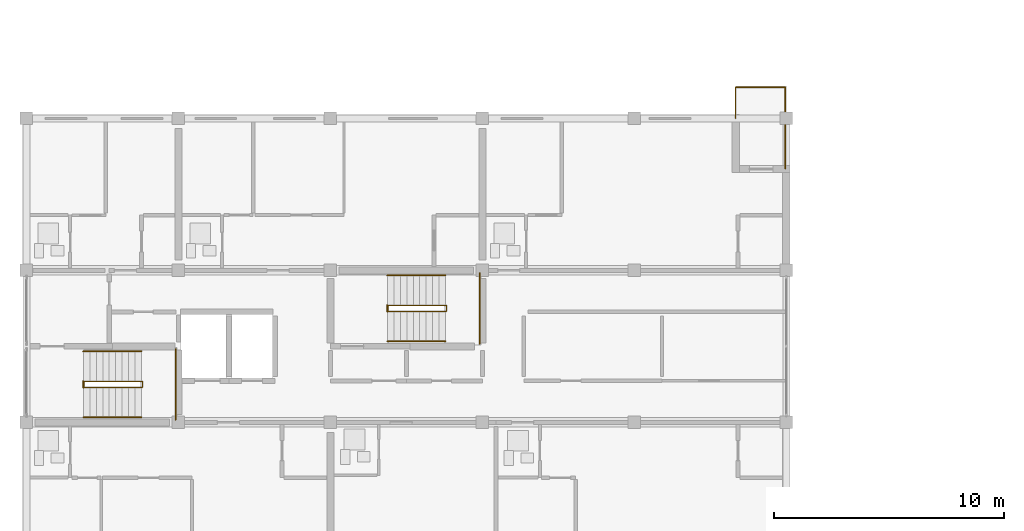
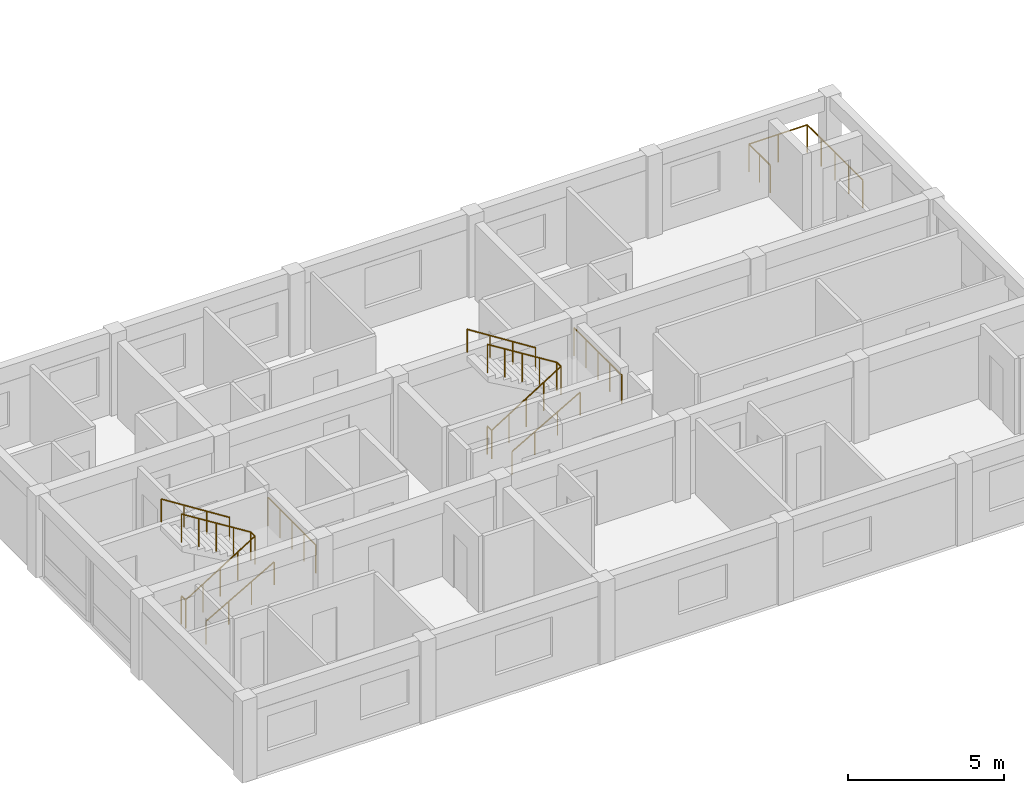
# One storey, part 42 of 45: 11 railings.
"""IFC4 building model written with IfcOpenShell, lengths in metres."""

from ifc_helpers import new_model, si_unit, direction, frame, origin, origin_2d, place, context, subcontext, project, spatial, circle, extrude, material, type_object, element, save


model = new_model("IFC4")

# Units and contexts
model_context = context("Model", 3, precision=1e-05, world=origin(), true_north=direction((0.0, 1.0)))
body_context = subcontext(model_context, "Body", "Model", "MODEL_VIEW")
ifc_project = project(units=[si_unit("LENGTHUNIT", "METRE"), si_unit("AREAUNIT", "SQUARE_METRE"), si_unit("VOLUMEUNIT", "CUBIC_METRE"), si_unit("PLANEANGLEUNIT", "RADIAN"), si_unit("MASSUNIT", "GRAM", prefix="KILO")], contexts=[model_context])

# Site, building, storey
site_placement = place(None, origin())
site = spatial("IfcSite", under=ifc_project, at=site_placement, CompositionType="ELEMENT")
building_placement = place(site_placement, origin())
building = spatial("IfcBuilding", under=site, at=building_placement, Name="Kernevlak Ridge Housing Community", CompositionType="ELEMENT")
storey_placement = place(building_placement, frame((0.0, 0.0, 21.199951171875)))
storey = spatial("IfcBuildingStorey", under=building, at=storey_placement, Name="L06", CompositionType="ELEMENT", Elevation=21.199951171875)

# Railings
ifc_material_1 = material(Name="Steel S355", Category="steel")
railing_type_1 = type_object("IfcRailingType", Name="BL-01", PredefinedType="BALUSTRADE", material=ifc_material_1)
railing_1_placement = place(storey_placement, frame((46.39990234375, 95.800048828125, 0.0)))
element("IfcRailing", 1, at=railing_1_placement, inside=storey, type_object=railing_type_1, Name="Block A L06 balcony balustrade BL-01 6", PredefinedType="BALUSTRADE", context=body_context, shape_type="SweptSolid", body=[
    extrude(circle(Radius=0.02392578125, at=origin_2d()), frame((0.0, 0.0, 1.076171875), z_axis=(0.0, 1.0, 0.0), x_axis=(-1.0, 0.0, 0.0)), (0.0, 0.0, 1.0), 1.349853515625),
    extrude(circle(Radius=0.02392578125, at=origin_2d()), frame((0.0, 1.349853515625, 1.076171875), z_axis=(1.0, 0.0, 0.0), x_axis=(0.0, 1.0, 0.0)), (0.0, 0.0, 1.0), 2.150146484375),
    extrude(circle(Radius=0.02392578125, at=origin_2d()), frame((2.150146484375, 1.349853515625, 1.076171875), z_axis=(0.0, -1.0, 0.0), x_axis=(1.0, 0.0, 0.0)), (0.0, 0.0, 1.0), 3.5498046875),
    extrude(circle(Radius=0.02099609375, at=origin_2d()), origin(), (0.0, 0.0, 1.0), 1.052001953125),
    extrude(circle(Radius=0.02099609375, at=origin_2d()), frame((0.0, 0.6748046875, 0.0)), (0.0, 0.0, 1.0), 1.052001953125),
    extrude(circle(Radius=0.02099609375, at=origin_2d()), frame((0.0, 1.349853515625, 0.0)), (0.0, 0.0, 1.0), 1.052001953125),
    extrude(circle(Radius=0.02099609375, at=origin_2d()), frame((1.0751953125, 1.349853515625, 0.0)), (0.0, 0.0, 1.0), 1.052001953125),
    extrude(circle(Radius=0.02099609375, at=origin_2d()), frame((2.150146484375, 1.349853515625, 0.0)), (0.0, 0.0, 1.0), 1.052001953125),
    extrude(circle(Radius=0.02099609375, at=origin_2d()), frame((2.150146484375, 0.46240234375, 0.0)), (0.0, 0.0, 1.0), 1.052001953125),
    extrude(circle(Radius=0.02099609375, at=origin_2d()), frame((2.150146484375, -0.425048828125, 0.0)), (0.0, 0.0, 1.0), 1.052001953125),
    extrude(circle(Radius=0.02099609375, at=origin_2d()), frame((2.150146484375, -1.3125, 0.0)), (0.0, 0.0, 1.0), 1.052001953125),
    extrude(circle(Radius=0.02099609375, at=origin_2d()), frame((2.150146484375, -2.199951171875, 0.0)), (0.0, 0.0, 1.0), 1.052001953125),
])
railing_type_2 = type_object("IfcRailingType", Name="GR-02", PredefinedType="GUARDRAIL", material=ifc_material_1)
railing_2_placement = place(storey_placement, frame((18.080078125, 84.110107421875, 0.0)))
element("IfcRailing", 2, at=railing_2_placement, inside=storey, type_object=railing_type_2, Name="Stair ST-A1 L06 well slot guard", PredefinedType="GUARDRAIL", context=body_context, shape_type="SweptSolid", body=[
    extrude(circle(Radius=0.02392578125, at=origin_2d()), frame((0.0, 0.0, 1.09619140625), z_axis=(0.0, 1.0, 0.0), x_axis=(-1.0, 0.0, 0.0)), (0.0, 0.0, 1.0), 0.27978515625),
    extrude(circle(Radius=0.02099609375, at=origin_2d()), origin(), (0.0, 0.0, 1.0), 1.072021484375),
    extrude(circle(Radius=0.02099609375, at=origin_2d()), frame((0.0, 0.27978515625, 0.0)), (0.0, 0.0, 1.0), 1.072021484375),
])
railing_3_placement = place(storey_placement, frame((18.080078125, 84.1201171875, 0.0)))
element("IfcRailing", 3, at=railing_3_placement, inside=storey, type_object=railing_type_2, Name="Stair ST-A1 L06 inner well guardrail", PredefinedType="GUARDRAIL", context=body_context, shape_type="SweptSolid", body=[
    extrude(circle(Radius=0.02392578125, at=origin_2d()), frame((0.0, 0.0, 1.09619140625), z_axis=(0.847966497998, 0.0, 0.530049826217), x_axis=(0.0, 1.0, 0.0)), (0.0, 0.0, 1.0), 3.018798828125),
    extrude(circle(Radius=0.02392578125, at=origin_2d()), frame((2.559814453125, 0.0, 2.6962890625), z_axis=(0.0, 1.0, 0.0), x_axis=(-1.0, 0.0, 0.0)), (0.0, 0.0, 1.0), 0.259765625),
    extrude(circle(Radius=0.02392578125, at=origin_2d()), frame((2.559814453125, 0.259765625, 2.6962890625), z_axis=(-0.848002847666, 0.0, 0.529991670077), x_axis=(0.0, -1.0, 0.0)), (0.0, 0.0, 1.0), 3.0185546875),
    extrude(circle(Radius=0.02099609375, at=origin_2d()), origin(), (0.0, 0.0, 1.0), 1.072021484375),
    extrude(circle(Radius=0.02099609375, at=origin_2d()), frame((0.639892578125, 0.0, 0.39990234375)), (0.0, 0.0, 1.0), 1.072021484375),
    extrude(circle(Radius=0.02099609375, at=origin_2d()), frame((1.27978515625, 0.0, 0.800048828125)), (0.0, 0.0, 1.0), 1.072021484375),
    extrude(circle(Radius=0.02099609375, at=origin_2d()), frame((1.919921875, 0.0, 1.2001953125)), (0.0, 0.0, 1.0), 1.072021484375),
    extrude(circle(Radius=0.02099609375, at=origin_2d()), frame((2.559814453125, 0.0, 1.60009765625)), (0.0, 0.0, 1.0), 1.072021484375),
    extrude(circle(Radius=0.02099609375, at=origin_2d()), frame((2.559814453125, 0.259765625, 1.60009765625)), (0.0, 0.0, 1.0), 1.072021484375),
    extrude(circle(Radius=0.02099609375, at=origin_2d()), frame((1.919921875, 0.259765625, 2.0)), (0.0, 0.0, 1.0), 1.072021484375),
    extrude(circle(Radius=0.02099609375, at=origin_2d()), frame((1.27978515625, 0.259765625, 2.39990234375)), (0.0, 0.0, 1.0), 1.072021484375),
    extrude(circle(Radius=0.02099609375, at=origin_2d()), frame((0.639892578125, 0.259765625, 2.800048828125)), (0.0, 0.0, 1.0), 1.072021484375),
    extrude(circle(Radius=0.02099609375, at=origin_2d()), frame((0.0, 0.259765625, 3.199951171875)), (0.0, 0.0, 1.0), 1.072021484375),
])
railing_4_placement = place(storey_placement, frame((22.080078125, 82.719970703125, 1.60009765625)))
element("IfcRailing", 4, at=railing_4_placement, inside=storey, type_object=railing_type_2, Name="Stair ST-A1 L06 half-landing guard", PredefinedType="GUARDRAIL", context=body_context, shape_type="SweptSolid", body=[
    extrude(circle(Radius=0.02392578125, at=origin_2d()), frame((0.0, 0.0, 1.09619140625), z_axis=(0.0, 1.0, 0.0), x_axis=(-1.0, 0.0, 0.0)), (0.0, 0.0, 1.0), 3.06005859375),
    extrude(circle(Radius=0.02099609375, at=origin_2d()), origin(), (0.0, 0.0, 1.0), 1.072021484375),
    extrude(circle(Radius=0.02099609375, at=origin_2d()), frame((0.0, 0.76513671875, 0.0)), (0.0, 0.0, 1.0), 1.072021484375),
    extrude(circle(Radius=0.02099609375, at=origin_2d()), frame((0.0, 1.530029296875, 0.0)), (0.0, 0.0, 1.0), 1.072021484375),
    extrude(circle(Radius=0.02099609375, at=origin_2d()), frame((0.0, 2.294921875, 0.0)), (0.0, 0.0, 1.0), 1.072021484375),
    extrude(circle(Radius=0.02099609375, at=origin_2d()), frame((0.0, 3.06005859375, 0.0)), (0.0, 0.0, 1.0), 1.072021484375),
])
railing_5_placement = place(storey_placement, frame((31.280029296875, 87.409912109375, 0.0)))
element("IfcRailing", 5, at=railing_5_placement, inside=storey, type_object=railing_type_2, Name="Stair ST-A2 L06 well slot guard", PredefinedType="GUARDRAIL", context=body_context, shape_type="SweptSolid", body=[
    extrude(circle(Radius=0.02392578125, at=origin_2d()), frame((0.0, 0.0, 1.09619140625), z_axis=(0.0, 1.0, 0.0), x_axis=(-1.0, 0.0, 0.0)), (0.0, 0.0, 1.0), 0.280029296875),
    extrude(circle(Radius=0.02099609375, at=origin_2d()), origin(), (0.0, 0.0, 1.0), 1.072021484375),
    extrude(circle(Radius=0.02099609375, at=origin_2d()), frame((0.0, 0.280029296875, 0.0)), (0.0, 0.0, 1.0), 1.072021484375),
])
railing_6_placement = place(storey_placement, frame((31.280029296875, 87.419921875, 0.0)))
element("IfcRailing", 6, at=railing_6_placement, inside=storey, type_object=railing_type_2, Name="Stair ST-A2 L06 inner well guardrail", PredefinedType="GUARDRAIL", context=body_context, shape_type="SweptSolid", body=[
    extrude(circle(Radius=0.02392578125, at=origin_2d()), frame((0.0, 0.0, 1.09619140625), z_axis=(0.847989217509, 0.0, 0.530013478119), x_axis=(0.0, 1.0, 0.0)), (0.0, 0.0, 1.0), 3.01904296875),
    extrude(circle(Radius=0.02392578125, at=origin_2d()), frame((2.56005859375, 0.0, 2.6962890625), z_axis=(0.0, 1.0, 0.0), x_axis=(-1.0, 0.0, 0.0)), (0.0, 0.0, 1.0), 0.260009765625),
    extrude(circle(Radius=0.02392578125, at=origin_2d()), frame((2.56005859375, 0.260009765625, 2.6962890625), z_axis=(-0.848025563165, 0.0, 0.529955322851), x_axis=(0.0, -1.0, 0.0)), (0.0, 0.0, 1.0), 3.018798828125),
    extrude(circle(Radius=0.02099609375, at=origin_2d()), origin(), (0.0, 0.0, 1.0), 1.072021484375),
    extrude(circle(Radius=0.02099609375, at=origin_2d()), frame((0.64013671875, 0.0, 0.39990234375)), (0.0, 0.0, 1.0), 1.072021484375),
    extrude(circle(Radius=0.02099609375, at=origin_2d()), frame((1.280029296875, 0.0, 0.800048828125)), (0.0, 0.0, 1.0), 1.072021484375),
    extrude(circle(Radius=0.02099609375, at=origin_2d()), frame((1.919921875, 0.0, 1.2001953125)), (0.0, 0.0, 1.0), 1.072021484375),
    extrude(circle(Radius=0.02099609375, at=origin_2d()), frame((2.56005859375, 0.0, 1.60009765625)), (0.0, 0.0, 1.0), 1.072021484375),
    extrude(circle(Radius=0.02099609375, at=origin_2d()), frame((2.56005859375, 0.260009765625, 1.60009765625)), (0.0, 0.0, 1.0), 1.072021484375),
    extrude(circle(Radius=0.02099609375, at=origin_2d()), frame((1.919921875, 0.260009765625, 2.0)), (0.0, 0.0, 1.0), 1.072021484375),
    extrude(circle(Radius=0.02099609375, at=origin_2d()), frame((1.280029296875, 0.260009765625, 2.39990234375)), (0.0, 0.0, 1.0), 1.072021484375),
    extrude(circle(Radius=0.02099609375, at=origin_2d()), frame((0.64013671875, 0.260009765625, 2.800048828125)), (0.0, 0.0, 1.0), 1.072021484375),
    extrude(circle(Radius=0.02099609375, at=origin_2d()), frame((0.0, 0.260009765625, 3.199951171875)), (0.0, 0.0, 1.0), 1.072021484375),
])
railing_7_placement = place(storey_placement, frame((35.280029296875, 86.02001953125, 1.60009765625)))
element("IfcRailing", 7, at=railing_7_placement, inside=storey, type_object=railing_type_2, Name="Stair ST-A2 L06 half-landing guard", PredefinedType="GUARDRAIL", context=body_context, shape_type="SweptSolid", body=[
    extrude(circle(Radius=0.02392578125, at=origin_2d()), frame((0.0, 0.0, 1.09619140625), z_axis=(0.0, 1.0, 0.0), x_axis=(-1.0, 0.0, 0.0)), (0.0, 0.0, 1.0), 3.06005859375),
    extrude(circle(Radius=0.02099609375, at=origin_2d()), origin(), (0.0, 0.0, 1.0), 1.072021484375),
    extrude(circle(Radius=0.02099609375, at=origin_2d()), frame((0.0, 0.76513671875, 0.0)), (0.0, 0.0, 1.0), 1.072021484375),
    extrude(circle(Radius=0.02099609375, at=origin_2d()), frame((0.0, 1.530029296875, 0.0)), (0.0, 0.0, 1.0), 1.072021484375),
    extrude(circle(Radius=0.02099609375, at=origin_2d()), frame((0.0, 2.294921875, 0.0)), (0.0, 0.0, 1.0), 1.072021484375),
    extrude(circle(Radius=0.02099609375, at=origin_2d()), frame((0.0, 3.06005859375, 0.0)), (0.0, 0.0, 1.0), 1.072021484375),
])
ifc_material_2 = material(Name="Stainless steel EN 1.4401", Category="steel")
railing_type_3 = type_object("IfcRailingType", Name="HR-01", PredefinedType="HANDRAIL", material=ifc_material_2)
railing_8_placement = place(storey_placement, frame((18.080078125, 82.820068359375, 0.16015625)))
element("IfcRailing", 8, at=railing_8_placement, inside=storey, type_object=railing_type_3, Name="Stair ST-A1 L06 flight 1 handrail", PredefinedType="HANDRAIL", context=body_context, shape_type="SweptSolid", body=[
    extrude(circle(Radius=0.02392578125, at=origin_2d()), frame((0.0, 0.0, 0.89599609375), z_axis=(0.868253494771, 0.0, 0.496120820787), x_axis=(0.0, 1.0, 0.0)), (0.0, 0.0, 1.0), 2.90234375),
    extrude(circle(Radius=0.02099609375, at=origin_2d()), origin(), (0.0, 0.0, 1.0), 0.871826171875),
    extrude(circle(Radius=0.02099609375, at=origin_2d()), frame((0.840087890625, 0.0, 0.47998046875)), (0.0, 0.0, 1.0), 0.871826171875),
    extrude(circle(Radius=0.02099609375, at=origin_2d()), frame((1.679931640625, 0.0, 0.9599609375)), (0.0, 0.0, 1.0), 0.871826171875),
    extrude(circle(Radius=0.02099609375, at=origin_2d()), frame((2.52001953125, 0.0, 1.43994140625)), (0.0, 0.0, 1.0), 0.871826171875),
])
railing_9_placement = place(storey_placement, frame((20.60009765625, 85.679931640625, 1.60009765625)))
element("IfcRailing", 9, at=railing_9_placement, inside=storey, type_object=railing_type_3, Name="Stair ST-A1 L06 flight 2 handrail", PredefinedType="HANDRAIL", context=body_context, shape_type="SweptSolid", body=[
    extrude(circle(Radius=0.02392578125, at=origin_2d()), frame((0.0, 0.0, 0.89599609375), z_axis=(-0.84423690053, 0.0, 0.535970200462), x_axis=(0.0, -1.0, 0.0)), (0.0, 0.0, 1.0), 2.98486328125),
    extrude(circle(Radius=0.02099609375, at=origin_2d()), origin(), (0.0, 0.0, 1.0), 0.871826171875),
    extrude(circle(Radius=0.02099609375, at=origin_2d()), frame((-0.840087890625, 0.0, 0.533203125)), (0.0, 0.0, 1.0), 0.871826171875),
    extrude(circle(Radius=0.02099609375, at=origin_2d()), frame((-1.679931640625, 0.0, 1.066650390625)), (0.0, 0.0, 1.0), 0.871826171875),
    extrude(circle(Radius=0.02099609375, at=origin_2d()), frame((-2.52001953125, 0.0, 1.599853515625)), (0.0, 0.0, 1.0), 0.871826171875),
])
railing_10_placement = place(storey_placement, frame((31.280029296875, 86.1201171875, 0.16015625)))
element("IfcRailing", 10, at=railing_10_placement, inside=storey, type_object=railing_type_3, Name="Stair ST-A2 L06 flight 1 handrail", PredefinedType="HANDRAIL", context=body_context, shape_type="SweptSolid", body=[
    extrude(circle(Radius=0.02392578125, at=origin_2d()), frame((0.0, 0.0, 0.89599609375), z_axis=(0.868253494771, 0.0, 0.496120820787), x_axis=(0.0, 1.0, 0.0)), (0.0, 0.0, 1.0), 2.90234375),
    extrude(circle(Radius=0.02099609375, at=origin_2d()), origin(), (0.0, 0.0, 1.0), 0.871826171875),
    extrude(circle(Radius=0.02099609375, at=origin_2d()), frame((0.840087890625, 0.0, 0.47998046875)), (0.0, 0.0, 1.0), 0.871826171875),
    extrude(circle(Radius=0.02099609375, at=origin_2d()), frame((1.679931640625, 0.0, 0.9599609375)), (0.0, 0.0, 1.0), 0.871826171875),
    extrude(circle(Radius=0.02099609375, at=origin_2d()), frame((2.52001953125, 0.0, 1.43994140625)), (0.0, 0.0, 1.0), 0.871826171875),
])
railing_11_placement = place(storey_placement, frame((33.800048828125, 88.97998046875, 1.60009765625)))
element("IfcRailing", 11, at=railing_11_placement, inside=storey, type_object=railing_type_3, Name="Stair ST-A2 L06 flight 2 handrail", PredefinedType="HANDRAIL", context=body_context, shape_type="SweptSolid", body=[
    extrude(circle(Radius=0.02392578125, at=origin_2d()), frame((0.0, 0.0, 0.89599609375), z_axis=(-0.84423690053, 0.0, 0.535970200462), x_axis=(0.0, -1.0, 0.0)), (0.0, 0.0, 1.0), 2.98486328125),
    extrude(circle(Radius=0.02099609375, at=origin_2d()), origin(), (0.0, 0.0, 1.0), 0.871826171875),
    extrude(circle(Radius=0.02099609375, at=origin_2d()), frame((-0.840087890625, 0.0, 0.533203125)), (0.0, 0.0, 1.0), 0.871826171875),
    extrude(circle(Radius=0.02099609375, at=origin_2d()), frame((-1.679931640625, 0.0, 1.066650390625)), (0.0, 0.0, 1.0), 0.871826171875),
    extrude(circle(Radius=0.02099609375, at=origin_2d()), frame((-2.52001953125, 0.0, 1.599853515625)), (0.0, 0.0, 1.0), 0.871826171875),
])

save(model, "model.ifc")
